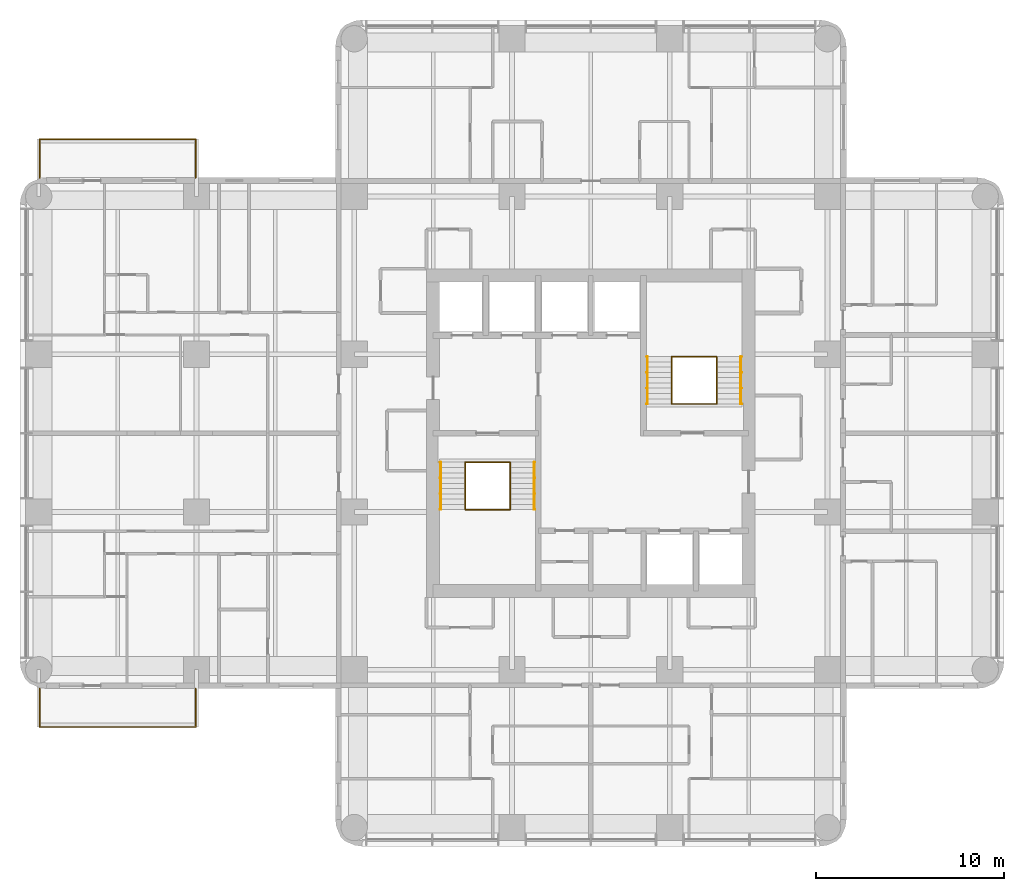
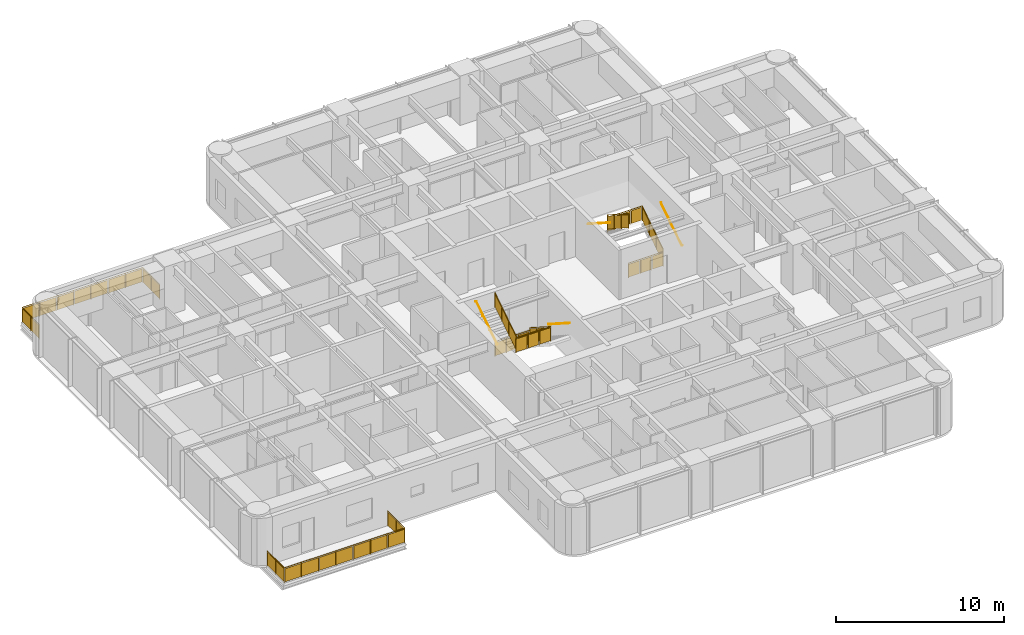
# One storey, part 12 of 12: 14 railings.
"""IFC4 building model written with IfcOpenShell, lengths in metres."""

from ifc_helpers import new_model, si_unit, direction, frame, origin, origin_2d, place, context, subcontext, project, spatial, polyline, circle, outline, extrude, material, constituent, constituent_set, type_object, element, save


model = new_model("IFC4")

# Units and contexts
model_context = context("Model", 3, precision=1e-05, world=origin(), true_north=direction((0.0, 1.0)))
body_context = subcontext(model_context, "Body", "Model", "MODEL_VIEW")
ifc_project = project(units=[si_unit("LENGTHUNIT", "METRE"), si_unit("AREAUNIT", "SQUARE_METRE"), si_unit("VOLUMEUNIT", "CUBIC_METRE"), si_unit("PLANEANGLEUNIT", "RADIAN"), si_unit("MASSUNIT", "GRAM", prefix="KILO")], contexts=[model_context])

# Site, building, storey
site_placement = place(None, origin())
site = spatial("IfcSite", under=ifc_project, at=site_placement, CompositionType="ELEMENT")
building_placement = place(site_placement, origin())
building = spatial("IfcBuilding", under=site, at=building_placement, Name="Torre Alcanfor", CompositionType="ELEMENT")
storey_placement = place(building_placement, frame((0.0, 0.0, 226.5)))
storey = spatial("IfcBuildingStorey", under=building, at=storey_placement, Name="L59", CompositionType="ELEMENT", Elevation=226.5)

# Railings
ifc_material_1 = material(Name="Laminated safety glass", Category="glass")
ifc_constituent_1 = constituent(ifc_material_1, Name="Infill")
ifc_material_2 = material(Name="Stainless steel ASTM A554 Grade MT 316L tube", Category="steel")
ifc_constituent_2 = constituent(ifc_material_2, Name="Posts and rail")
ifc_constituent_set = constituent_set(constituents=[ifc_constituent_1, ifc_constituent_2], Name="Balcony guard glass 1100")
railing_type_1 = type_object("IfcRailingType", Name="Balcony guard glass 1100", PredefinedType="BALUSTRADE", material=ifc_constituent_set)
railing_1_placement = place(storey_placement, frame((8.35009765625, 15.800048828125, 0.0)))
element("IfcRailing", 1, at=railing_1_placement, inside=storey, type_object=railing_type_1, Name="Balcony guard L59-W1", PredefinedType="BALUSTRADE", context=body_context, shape_type="SweptSolid", body=[
    extrude(circle(Radius=0.02392578125, at=origin_2d()), frame((0.0, 0.0, 1.076171875), z_axis=(0.0, -1.0, 0.0), x_axis=(1.0, 0.0, 0.0)), (0.0, 0.0, 1.0), 2.050048828125),
    extrude(circle(Radius=0.02392578125, at=origin_2d()), frame((0.0, -2.050048828125, 1.076171875), z_axis=(-1.0, 0.0, 0.0), x_axis=(0.0, -1.0, 0.0)), (0.0, 0.0, 1.0), 8.300048828125),
    extrude(circle(Radius=0.02392578125, at=origin_2d()), frame((-8.300048828125, -2.050048828125, 1.076171875), z_axis=(0.0, 1.0, 0.0), x_axis=(-1.0, 0.0, 0.0)), (0.0, 0.0, 1.0), 2.050048828125),
    extrude(circle(Radius=0.02099609375, at=origin_2d()), origin(), (0.0, 0.0, 1.0), 1.052001953125),
    extrude(circle(Radius=0.02099609375, at=origin_2d()), frame((0.0, -1.02490234375, 0.0)), (0.0, 0.0, 1.0), 1.052001953125),
    extrude(circle(Radius=0.02099609375, at=origin_2d()), frame((0.0, -2.050048828125, 0.0)), (0.0, 0.0, 1.0), 1.052001953125),
    extrude(circle(Radius=0.02099609375, at=origin_2d()), frame((-1.185791015625, -2.050048828125, 0.0)), (0.0, 0.0, 1.0), 1.052001953125),
    extrude(circle(Radius=0.02099609375, at=origin_2d()), frame((-2.371337890625, -2.050048828125, 0.0)), (0.0, 0.0, 1.0), 1.052001953125),
    extrude(circle(Radius=0.02099609375, at=origin_2d()), frame((-3.55712890625, -2.050048828125, 0.0)), (0.0, 0.0, 1.0), 1.052001953125),
    extrude(circle(Radius=0.02099609375, at=origin_2d()), frame((-4.742919921875, -2.050048828125, 0.0)), (0.0, 0.0, 1.0), 1.052001953125),
    extrude(circle(Radius=0.02099609375, at=origin_2d()), frame((-5.9287109375, -2.050048828125, 0.0)), (0.0, 0.0, 1.0), 1.052001953125),
    extrude(circle(Radius=0.02099609375, at=origin_2d()), frame((-7.1142578125, -2.050048828125, 0.0)), (0.0, 0.0, 1.0), 1.052001953125),
    extrude(circle(Radius=0.02099609375, at=origin_2d()), frame((-8.300048828125, -2.050048828125, 0.0)), (0.0, 0.0, 1.0), 1.052001953125),
    extrude(circle(Radius=0.02099609375, at=origin_2d()), frame((-8.300048828125, -1.02490234375, 0.0)), (0.0, 0.0, 1.0), 1.052001953125),
    extrude(circle(Radius=0.02099609375, at=origin_2d()), frame((-8.300048828125, 0.0, 0.0)), (0.0, 0.0, 1.0), 1.052001953125),
    extrude(outline(polyline([(0.041015625, 0.050048828125), (0.984130859375, 0.050048828125), (0.984130859375, 1.001953125), (0.041015625, 1.001953125), (0.041015625, 0.050048828125)])), frame((0.005859375, 0.0, 0.0), z_axis=(-1.0, 0.0, 0.0), x_axis=(0.0, -1.0, 0.0)), (0.0, 0.0, 1.0), 0.011962890625),
    extrude(outline(polyline([(1.06591796875, 0.050048828125), (2.009033203125, 0.050048828125), (2.009033203125, 1.001953125), (1.06591796875, 1.001953125), (1.06591796875, 0.050048828125)])), frame((0.005859375, 0.0, 0.0), z_axis=(-1.0, 0.0, 0.0), x_axis=(0.0, -1.0, 0.0)), (0.0, 0.0, 1.0), 0.011962890625),
    extrude(outline(polyline([(0.041015625, 0.050048828125), (1.144775390625, 0.050048828125), (1.144775390625, 1.001953125), (0.041015625, 1.001953125), (0.041015625, 0.050048828125)])), frame((0.0, -2.05615234375, 0.0), z_axis=(0.0, 1.0, 0.0), x_axis=(-1.0, 0.0, 0.0)), (0.0, 0.0, 1.0), 0.011962890625),
    extrude(outline(polyline([(1.226806640625, 0.050048828125), (2.330322265625, 0.050048828125), (2.330322265625, 1.001953125), (1.226806640625, 1.001953125), (1.226806640625, 0.050048828125)])), frame((0.0, -2.05615234375, 0.0), z_axis=(0.0, 1.0, 0.0), x_axis=(-1.0, 0.0, 0.0)), (0.0, 0.0, 1.0), 0.011962890625),
    extrude(outline(polyline([(2.412353515625, 0.050048828125), (3.51611328125, 0.050048828125), (3.51611328125, 1.001953125), (2.412353515625, 1.001953125), (2.412353515625, 0.050048828125)])), frame((0.0, -2.05615234375, 0.0), z_axis=(0.0, 1.0, 0.0), x_axis=(-1.0, 0.0, 0.0)), (0.0, 0.0, 1.0), 0.011962890625),
    extrude(outline(polyline([(3.59814453125, 0.050048828125), (4.701904296875, 0.050048828125), (4.701904296875, 1.001953125), (3.59814453125, 1.001953125), (3.59814453125, 0.050048828125)])), frame((0.0, -2.05615234375, 0.0), z_axis=(0.0, 1.0, 0.0), x_axis=(-1.0, 0.0, 0.0)), (0.0, 0.0, 1.0), 0.011962890625),
    extrude(outline(polyline([(4.783935546875, 0.050048828125), (5.8876953125, 0.050048828125), (5.8876953125, 1.001953125), (4.783935546875, 1.001953125), (4.783935546875, 0.050048828125)])), frame((0.0, -2.05615234375, 0.0), z_axis=(0.0, 1.0, 0.0), x_axis=(-1.0, 0.0, 0.0)), (0.0, 0.0, 1.0), 0.011962890625),
    extrude(outline(polyline([(5.9697265625, 0.050048828125), (7.0732421875, 0.050048828125), (7.0732421875, 1.001953125), (5.9697265625, 1.001953125), (5.9697265625, 0.050048828125)])), frame((0.0, -2.05615234375, 0.0), z_axis=(0.0, 1.0, 0.0), x_axis=(-1.0, 0.0, 0.0)), (0.0, 0.0, 1.0), 0.011962890625),
    extrude(outline(polyline([(7.1552734375, 0.050048828125), (8.259033203125, 0.050048828125), (8.259033203125, 1.001953125), (7.1552734375, 1.001953125), (7.1552734375, 0.050048828125)])), frame((0.0, -2.05615234375, 0.0), z_axis=(0.0, 1.0, 0.0), x_axis=(-1.0, 0.0, 0.0)), (0.0, 0.0, 1.0), 0.011962890625),
    extrude(outline(polyline([(0.041015625, 0.050048828125), (0.984130859375, 0.050048828125), (0.984130859375, 1.001953125), (0.041015625, 1.001953125), (0.041015625, 0.050048828125)])), frame((-8.30615234375, -2.050048828125, 0.0), z_axis=(1.0, 0.0, 0.0), x_axis=(0.0, 1.0, 0.0)), (0.0, 0.0, 1.0), 0.011962890625),
    extrude(outline(polyline([(1.06591796875, 0.050048828125), (2.009033203125, 0.050048828125), (2.009033203125, 1.001953125), (1.06591796875, 1.001953125), (1.06591796875, 0.050048828125)])), frame((-8.30615234375, -2.050048828125, 0.0), z_axis=(1.0, 0.0, 0.0), x_axis=(0.0, 1.0, 0.0)), (0.0, 0.0, 1.0), 0.011962890625),
])
railing_2_placement = place(storey_placement, frame((8.35009765625, 43.0, 0.0)))
element("IfcRailing", 2, at=railing_2_placement, inside=storey, type_object=railing_type_1, Name="Balcony guard L59-W2", PredefinedType="BALUSTRADE", context=body_context, shape_type="SweptSolid", body=[
    extrude(circle(Radius=0.02392578125, at=origin_2d()), frame((0.0, 0.0, 1.076171875), z_axis=(0.0, 1.0, 0.0), x_axis=(-1.0, 0.0, 0.0)), (0.0, 0.0, 1.0), 2.050048828125),
    extrude(circle(Radius=0.02392578125, at=origin_2d()), frame((0.0, 2.050048828125, 1.076171875), z_axis=(-1.0, 0.0, 0.0), x_axis=(0.0, -1.0, 0.0)), (0.0, 0.0, 1.0), 8.300048828125),
    extrude(circle(Radius=0.02392578125, at=origin_2d()), frame((-8.300048828125, 2.050048828125, 1.076171875), z_axis=(0.0, -1.0, 0.0), x_axis=(1.0, 0.0, 0.0)), (0.0, 0.0, 1.0), 2.050048828125),
    extrude(circle(Radius=0.02099609375, at=origin_2d()), origin(), (0.0, 0.0, 1.0), 1.052001953125),
    extrude(circle(Radius=0.02099609375, at=origin_2d()), frame((0.0, 1.02490234375, 0.0)), (0.0, 0.0, 1.0), 1.052001953125),
    extrude(circle(Radius=0.02099609375, at=origin_2d()), frame((0.0, 2.050048828125, 0.0)), (0.0, 0.0, 1.0), 1.052001953125),
    extrude(circle(Radius=0.02099609375, at=origin_2d()), frame((-1.185791015625, 2.050048828125, 0.0)), (0.0, 0.0, 1.0), 1.052001953125),
    extrude(circle(Radius=0.02099609375, at=origin_2d()), frame((-2.371337890625, 2.050048828125, 0.0)), (0.0, 0.0, 1.0), 1.052001953125),
    extrude(circle(Radius=0.02099609375, at=origin_2d()), frame((-3.55712890625, 2.050048828125, 0.0)), (0.0, 0.0, 1.0), 1.052001953125),
    extrude(circle(Radius=0.02099609375, at=origin_2d()), frame((-4.742919921875, 2.050048828125, 0.0)), (0.0, 0.0, 1.0), 1.052001953125),
    extrude(circle(Radius=0.02099609375, at=origin_2d()), frame((-5.9287109375, 2.050048828125, 0.0)), (0.0, 0.0, 1.0), 1.052001953125),
    extrude(circle(Radius=0.02099609375, at=origin_2d()), frame((-7.1142578125, 2.050048828125, 0.0)), (0.0, 0.0, 1.0), 1.052001953125),
    extrude(circle(Radius=0.02099609375, at=origin_2d()), frame((-8.300048828125, 2.050048828125, 0.0)), (0.0, 0.0, 1.0), 1.052001953125),
    extrude(circle(Radius=0.02099609375, at=origin_2d()), frame((-8.300048828125, 1.02490234375, 0.0)), (0.0, 0.0, 1.0), 1.052001953125),
    extrude(circle(Radius=0.02099609375, at=origin_2d()), frame((-8.300048828125, 0.0, 0.0)), (0.0, 0.0, 1.0), 1.052001953125),
    extrude(outline(polyline([(0.041015625, 0.050048828125), (0.984130859375, 0.050048828125), (0.984130859375, 1.001953125), (0.041015625, 1.001953125), (0.041015625, 0.050048828125)])), frame((-0.005859375, 0.0, 0.0), z_axis=(1.0, 0.0, 0.0), x_axis=(0.0, 1.0, 0.0)), (0.0, 0.0, 1.0), 0.011962890625),
    extrude(outline(polyline([(1.06591796875, 0.050048828125), (2.009033203125, 0.050048828125), (2.009033203125, 1.001953125), (1.06591796875, 1.001953125), (1.06591796875, 0.050048828125)])), frame((-0.005859375, 0.0, 0.0), z_axis=(1.0, 0.0, 0.0), x_axis=(0.0, 1.0, 0.0)), (0.0, 0.0, 1.0), 0.011962890625),
    extrude(outline(polyline([(0.041015625, 0.050048828125), (1.144775390625, 0.050048828125), (1.144775390625, 1.001953125), (0.041015625, 1.001953125), (0.041015625, 0.050048828125)])), frame((0.0, 2.0439453125, 0.0), z_axis=(0.0, 1.0, 0.0), x_axis=(-1.0, 0.0, 0.0)), (0.0, 0.0, 1.0), 0.011962890625),
    extrude(outline(polyline([(1.226806640625, 0.050048828125), (2.330322265625, 0.050048828125), (2.330322265625, 1.001953125), (1.226806640625, 1.001953125), (1.226806640625, 0.050048828125)])), frame((0.0, 2.0439453125, 0.0), z_axis=(0.0, 1.0, 0.0), x_axis=(-1.0, 0.0, 0.0)), (0.0, 0.0, 1.0), 0.011962890625),
    extrude(outline(polyline([(2.412353515625, 0.050048828125), (3.51611328125, 0.050048828125), (3.51611328125, 1.001953125), (2.412353515625, 1.001953125), (2.412353515625, 0.050048828125)])), frame((0.0, 2.0439453125, 0.0), z_axis=(0.0, 1.0, 0.0), x_axis=(-1.0, 0.0, 0.0)), (0.0, 0.0, 1.0), 0.011962890625),
    extrude(outline(polyline([(3.59814453125, 0.050048828125), (4.701904296875, 0.050048828125), (4.701904296875, 1.001953125), (3.59814453125, 1.001953125), (3.59814453125, 0.050048828125)])), frame((0.0, 2.0439453125, 0.0), z_axis=(0.0, 1.0, 0.0), x_axis=(-1.0, 0.0, 0.0)), (0.0, 0.0, 1.0), 0.011962890625),
    extrude(outline(polyline([(4.783935546875, 0.050048828125), (5.8876953125, 0.050048828125), (5.8876953125, 1.001953125), (4.783935546875, 1.001953125), (4.783935546875, 0.050048828125)])), frame((0.0, 2.0439453125, 0.0), z_axis=(0.0, 1.0, 0.0), x_axis=(-1.0, 0.0, 0.0)), (0.0, 0.0, 1.0), 0.011962890625),
    extrude(outline(polyline([(5.9697265625, 0.050048828125), (7.0732421875, 0.050048828125), (7.0732421875, 1.001953125), (5.9697265625, 1.001953125), (5.9697265625, 0.050048828125)])), frame((0.0, 2.0439453125, 0.0), z_axis=(0.0, 1.0, 0.0), x_axis=(-1.0, 0.0, 0.0)), (0.0, 0.0, 1.0), 0.011962890625),
    extrude(outline(polyline([(7.1552734375, 0.050048828125), (8.259033203125, 0.050048828125), (8.259033203125, 1.001953125), (7.1552734375, 1.001953125), (7.1552734375, 0.050048828125)])), frame((0.0, 2.0439453125, 0.0), z_axis=(0.0, 1.0, 0.0), x_axis=(-1.0, 0.0, 0.0)), (0.0, 0.0, 1.0), 0.011962890625),
    extrude(outline(polyline([(0.041015625, 0.050048828125), (0.984130859375, 0.050048828125), (0.984130859375, 1.001953125), (0.041015625, 1.001953125), (0.041015625, 0.050048828125)])), frame((-8.2939453125, 2.050048828125, 0.0), z_axis=(-1.0, 0.0, 0.0), x_axis=(0.0, -1.0, 0.0)), (0.0, 0.0, 1.0), 0.011962890625),
    extrude(outline(polyline([(1.06591796875, 0.050048828125), (2.009033203125, 0.050048828125), (2.009033203125, 1.001953125), (1.06591796875, 1.001953125), (1.06591796875, 0.050048828125)])), frame((-8.2939453125, 2.050048828125, 0.0), z_axis=(-1.0, 0.0, 0.0), x_axis=(0.0, -1.0, 0.0)), (0.0, 0.0, 1.0), 0.011962890625),
])
ifc_material_3 = material(Name="Steel ASTM A500 Grade C hollow sections", Category="steel")
railing_type_2 = type_object("IfcRailingType", Name="Stair guard and handrail 1100", PredefinedType="GUARDRAIL", material=ifc_material_3)
railing_3_placement = place(storey_placement, frame((25.10009765625, 27.85009765625, 0.179931640625)))
element("IfcRailing", 3, at=railing_3_placement, inside=storey, type_object=railing_type_2, Name="Stair guard S1 L59 flight 1", PredefinedType="GUARDRAIL", context=body_context, shape_type="SweptSolid", body=[
    extrude(circle(Radius=0.02392578125, at=origin_2d()), frame((0.0, 0.0, 1.076171875), z_axis=(0.0, -0.841162588446, 0.540782303519), x_axis=(1.0, 0.0, 0.0)), (0.0, 0.0, 1.0), 2.995849609375),
    extrude(circle(Radius=0.02099609375, at=origin_2d()), origin(), (0.0, 0.0, 1.0), 1.052001953125),
    extrude(circle(Radius=0.02099609375, at=origin_2d()), frame((0.0, -0.840087890625, 0.5400390625)), (0.0, 0.0, 1.0), 1.052001953125),
    extrude(circle(Radius=0.02099609375, at=origin_2d()), frame((0.0, -1.679931640625, 1.080078125)), (0.0, 0.0, 1.0), 1.052001953125),
    extrude(circle(Radius=0.02099609375, at=origin_2d()), frame((0.0, -2.52001953125, 1.6201171875)), (0.0, 0.0, 1.0), 1.052001953125),
    extrude(outline(polyline([(0.041015625, 0.076416015625), (0.799072265625, 0.563720703125), (0.799072265625, 1.515625), (0.041015625, 1.0283203125), (0.041015625, 0.076416015625)])), frame((0.005859375, 0.0, 0.0), z_axis=(-1.0, 0.0, 0.0), x_axis=(0.0, -1.0, 0.0)), (0.0, 0.0, 1.0), 0.011962890625),
    extrude(outline(polyline([(0.881103515625, 0.616455078125), (1.638916015625, 1.103759765625), (1.638916015625, 2.0556640625), (0.881103515625, 1.568359375), (0.881103515625, 0.616455078125)])), frame((0.005859375, 0.0, 0.0), z_axis=(-1.0, 0.0, 0.0), x_axis=(0.0, -1.0, 0.0)), (0.0, 0.0, 1.0), 0.011962890625),
    extrude(outline(polyline([(1.720947265625, 1.156494140625), (2.47900390625, 1.643798828125), (2.47900390625, 2.595703125), (1.720947265625, 2.1083984375), (1.720947265625, 1.156494140625)])), frame((0.005859375, 0.0, 0.0), z_axis=(-1.0, 0.0, 0.0), x_axis=(0.0, -1.0, 0.0)), (0.0, 0.0, 1.0), 0.011962890625),
])
railing_4_placement = place(storey_placement, frame((22.699951171875, 25.330078125, 1.97998046875)))
element("IfcRailing", 4, at=railing_4_placement, inside=storey, type_object=railing_type_2, Name="Stair guard S1 L59 flight 2", PredefinedType="GUARDRAIL", context=body_context, shape_type="SweptSolid", body=[
    extrude(circle(Radius=0.02392578125, at=origin_2d()), frame((0.0, 0.0, 1.076171875), z_axis=(0.0, 0.841162588446, 0.540782303519), x_axis=(-1.0, 0.0, 0.0)), (0.0, 0.0, 1.0), 2.995849609375),
    extrude(circle(Radius=0.02099609375, at=origin_2d()), origin(), (0.0, 0.0, 1.0), 1.052001953125),
    extrude(circle(Radius=0.02099609375, at=origin_2d()), frame((0.0, 0.840087890625, 0.5400390625)), (0.0, 0.0, 1.0), 1.052001953125),
    extrude(circle(Radius=0.02099609375, at=origin_2d()), frame((0.0, 1.679931640625, 1.080078125)), (0.0, 0.0, 1.0), 1.052001953125),
    extrude(circle(Radius=0.02099609375, at=origin_2d()), frame((0.0, 2.52001953125, 1.6201171875)), (0.0, 0.0, 1.0), 1.052001953125),
    extrude(outline(polyline([(0.041015625, 0.076416015625), (0.799072265625, 0.563720703125), (0.799072265625, 1.515625), (0.041015625, 1.0283203125), (0.041015625, 0.076416015625)])), frame((-0.005859375, 0.0, 0.0), z_axis=(1.0, 0.0, 0.0), x_axis=(0.0, 1.0, 0.0)), (0.0, 0.0, 1.0), 0.011962890625),
    extrude(outline(polyline([(0.881103515625, 0.616455078125), (1.638916015625, 1.103759765625), (1.638916015625, 2.0556640625), (0.881103515625, 1.568359375), (0.881103515625, 0.616455078125)])), frame((-0.005859375, 0.0, 0.0), z_axis=(1.0, 0.0, 0.0), x_axis=(0.0, 1.0, 0.0)), (0.0, 0.0, 1.0), 0.011962890625),
    extrude(outline(polyline([(1.720947265625, 1.156494140625), (2.47900390625, 1.643798828125), (2.47900390625, 2.595703125), (1.720947265625, 2.1083984375), (1.720947265625, 1.156494140625)])), frame((-0.005859375, 0.0, 0.0), z_axis=(1.0, 0.0, 0.0), x_axis=(0.0, 1.0, 0.0)), (0.0, 0.0, 1.0), 0.011962890625),
])
for number, where, name in (
    (5, (22.699951171875, 27.85009765625, 0.0), "Stair well guard S1 L59 floor landing"),
    (6, (22.699951171875, 25.330078125, 1.800048828125), "Stair well guard S1 L59 half landing"),
):
    element("IfcRailing", number, at=place(storey_placement, frame(where)), inside=storey, type_object=railing_type_2, Name=name, PredefinedType="GUARDRAIL", context=body_context, shape_type="SweptSolid", body=[
        extrude(circle(Radius=0.02392578125, at=origin_2d()), frame((0.0, 0.0, 1.076171875), z_axis=(1.0, 0.0, 0.0), x_axis=(0.0, 1.0, 0.0)), (0.0, 0.0, 1.0), 2.400146484375),
        extrude(circle(Radius=0.02099609375, at=origin_2d()), origin(), (0.0, 0.0, 1.0), 1.052001953125),
        extrude(circle(Radius=0.02099609375, at=origin_2d()), frame((0.800048828125, 0.0, 0.0)), (0.0, 0.0, 1.0), 1.052001953125),
        extrude(circle(Radius=0.02099609375, at=origin_2d()), frame((1.60009765625, 0.0, 0.0)), (0.0, 0.0, 1.0), 1.052001953125),
        extrude(circle(Radius=0.02099609375, at=origin_2d()), frame((2.400146484375, 0.0, 0.0)), (0.0, 0.0, 1.0), 1.052001953125),
        extrude(outline(polyline([(0.041015625, 0.050048828125), (0.759033203125, 0.050048828125), (0.759033203125, 1.001953125), (0.041015625, 1.001953125), (0.041015625, 0.050048828125)])), frame((0.0, 0.005859375, 0.0), z_axis=(0.0, -1.0, 0.0), x_axis=(1.0, 0.0, 0.0)), (0.0, 0.0, 1.0), 0.011962890625),
        extrude(outline(polyline([(0.841064453125, 0.050048828125), (1.55908203125, 0.050048828125), (1.55908203125, 1.001953125), (0.841064453125, 1.001953125), (0.841064453125, 0.050048828125)])), frame((0.0, 0.005859375, 0.0), z_axis=(0.0, -1.0, 0.0), x_axis=(1.0, 0.0, 0.0)), (0.0, 0.0, 1.0), 0.011962890625),
        extrude(outline(polyline([(1.64111328125, 0.050048828125), (2.359130859375, 0.050048828125), (2.359130859375, 1.001953125), (1.64111328125, 1.001953125), (1.64111328125, 0.050048828125)])), frame((0.0, 0.005859375, 0.0), z_axis=(0.0, -1.0, 0.0), x_axis=(1.0, 0.0, 0.0)), (0.0, 0.0, 1.0), 0.011962890625),
    ])
railing_5_placement = place(storey_placement, frame((36.10009765625, 30.949951171875, 0.179931640625)))
element("IfcRailing", 7, at=railing_5_placement, inside=storey, type_object=railing_type_2, Name="Stair guard S2 L59 flight 1", PredefinedType="GUARDRAIL", context=body_context, shape_type="SweptSolid", body=[
    extrude(circle(Radius=0.02392578125, at=origin_2d()), frame((0.0, 0.0, 1.076171875), z_axis=(0.0, 0.841162588446, 0.540782303519), x_axis=(-1.0, 0.0, 0.0)), (0.0, 0.0, 1.0), 2.995849609375),
    extrude(circle(Radius=0.02099609375, at=origin_2d()), origin(), (0.0, 0.0, 1.0), 1.052001953125),
    extrude(circle(Radius=0.02099609375, at=origin_2d()), frame((0.0, 0.840087890625, 0.5400390625)), (0.0, 0.0, 1.0), 1.052001953125),
    extrude(circle(Radius=0.02099609375, at=origin_2d()), frame((0.0, 1.679931640625, 1.080078125)), (0.0, 0.0, 1.0), 1.052001953125),
    extrude(circle(Radius=0.02099609375, at=origin_2d()), frame((0.0, 2.52001953125, 1.6201171875)), (0.0, 0.0, 1.0), 1.052001953125),
    extrude(outline(polyline([(0.041015625, 0.076416015625), (0.799072265625, 0.563720703125), (0.799072265625, 1.515625), (0.041015625, 1.0283203125), (0.041015625, 0.076416015625)])), frame((-0.005859375, 0.0, 0.0), z_axis=(1.0, 0.0, 0.0), x_axis=(0.0, 1.0, 0.0)), (0.0, 0.0, 1.0), 0.011962890625),
    extrude(outline(polyline([(0.881103515625, 0.616455078125), (1.638916015625, 1.103759765625), (1.638916015625, 2.0556640625), (0.881103515625, 1.568359375), (0.881103515625, 0.616455078125)])), frame((-0.005859375, 0.0, 0.0), z_axis=(1.0, 0.0, 0.0), x_axis=(0.0, 1.0, 0.0)), (0.0, 0.0, 1.0), 0.011962890625),
    extrude(outline(polyline([(1.720947265625, 1.156494140625), (2.47900390625, 1.643798828125), (2.47900390625, 2.595703125), (1.720947265625, 2.1083984375), (1.720947265625, 1.156494140625)])), frame((-0.005859375, 0.0, 0.0), z_axis=(1.0, 0.0, 0.0), x_axis=(0.0, 1.0, 0.0)), (0.0, 0.0, 1.0), 0.011962890625),
])
railing_6_placement = place(storey_placement, frame((33.699951171875, 33.469970703125, 1.97998046875)))
element("IfcRailing", 8, at=railing_6_placement, inside=storey, type_object=railing_type_2, Name="Stair guard S2 L59 flight 2", PredefinedType="GUARDRAIL", context=body_context, shape_type="SweptSolid", body=[
    extrude(circle(Radius=0.02392578125, at=origin_2d()), frame((0.0, 0.0, 1.076171875), z_axis=(0.0, -0.841162588446, 0.540782303519), x_axis=(1.0, 0.0, 0.0)), (0.0, 0.0, 1.0), 2.995849609375),
    extrude(circle(Radius=0.02099609375, at=origin_2d()), origin(), (0.0, 0.0, 1.0), 1.052001953125),
    extrude(circle(Radius=0.02099609375, at=origin_2d()), frame((0.0, -0.840087890625, 0.5400390625)), (0.0, 0.0, 1.0), 1.052001953125),
    extrude(circle(Radius=0.02099609375, at=origin_2d()), frame((0.0, -1.679931640625, 1.080078125)), (0.0, 0.0, 1.0), 1.052001953125),
    extrude(circle(Radius=0.02099609375, at=origin_2d()), frame((0.0, -2.52001953125, 1.6201171875)), (0.0, 0.0, 1.0), 1.052001953125),
    extrude(outline(polyline([(0.041015625, 0.076416015625), (0.799072265625, 0.563720703125), (0.799072265625, 1.515625), (0.041015625, 1.0283203125), (0.041015625, 0.076416015625)])), frame((0.005859375, 0.0, 0.0), z_axis=(-1.0, 0.0, 0.0), x_axis=(0.0, -1.0, 0.0)), (0.0, 0.0, 1.0), 0.011962890625),
    extrude(outline(polyline([(0.881103515625, 0.616455078125), (1.638916015625, 1.103759765625), (1.638916015625, 2.0556640625), (0.881103515625, 1.568359375), (0.881103515625, 0.616455078125)])), frame((0.005859375, 0.0, 0.0), z_axis=(-1.0, 0.0, 0.0), x_axis=(0.0, -1.0, 0.0)), (0.0, 0.0, 1.0), 0.011962890625),
    extrude(outline(polyline([(1.720947265625, 1.156494140625), (2.47900390625, 1.643798828125), (2.47900390625, 2.595703125), (1.720947265625, 2.1083984375), (1.720947265625, 1.156494140625)])), frame((0.005859375, 0.0, 0.0), z_axis=(-1.0, 0.0, 0.0), x_axis=(0.0, -1.0, 0.0)), (0.0, 0.0, 1.0), 0.011962890625),
])
for number, where, name in (
    (9, (33.699951171875, 30.949951171875, 0.0), "Stair well guard S2 L59 floor landing"),
    (10, (33.699951171875, 33.469970703125, 1.800048828125), "Stair well guard S2 L59 half landing"),
):
    element("IfcRailing", number, at=place(storey_placement, frame(where)), inside=storey, type_object=railing_type_2, Name=name, PredefinedType="GUARDRAIL", context=body_context, shape_type="SweptSolid", body=[
        extrude(circle(Radius=0.02392578125, at=origin_2d()), frame((0.0, 0.0, 1.076171875), z_axis=(1.0, 0.0, 0.0), x_axis=(0.0, 1.0, 0.0)), (0.0, 0.0, 1.0), 2.400146484375),
        extrude(circle(Radius=0.02099609375, at=origin_2d()), origin(), (0.0, 0.0, 1.0), 1.052001953125),
        extrude(circle(Radius=0.02099609375, at=origin_2d()), frame((0.800048828125, 0.0, 0.0)), (0.0, 0.0, 1.0), 1.052001953125),
        extrude(circle(Radius=0.02099609375, at=origin_2d()), frame((1.60009765625, 0.0, 0.0)), (0.0, 0.0, 1.0), 1.052001953125),
        extrude(circle(Radius=0.02099609375, at=origin_2d()), frame((2.400146484375, 0.0, 0.0)), (0.0, 0.0, 1.0), 1.052001953125),
        extrude(outline(polyline([(0.041015625, 0.050048828125), (0.759033203125, 0.050048828125), (0.759033203125, 1.001953125), (0.041015625, 1.001953125), (0.041015625, 0.050048828125)])), frame((0.0, 0.005859375, 0.0), z_axis=(0.0, -1.0, 0.0), x_axis=(1.0, 0.0, 0.0)), (0.0, 0.0, 1.0), 0.011962890625),
        extrude(outline(polyline([(0.841064453125, 0.050048828125), (1.55908203125, 0.050048828125), (1.55908203125, 1.001953125), (0.841064453125, 1.001953125), (0.841064453125, 0.050048828125)])), frame((0.0, 0.005859375, 0.0), z_axis=(0.0, -1.0, 0.0), x_axis=(1.0, 0.0, 0.0)), (0.0, 0.0, 1.0), 0.011962890625),
        extrude(outline(polyline([(1.64111328125, 0.050048828125), (2.359130859375, 0.050048828125), (2.359130859375, 1.001953125), (1.64111328125, 1.001953125), (1.64111328125, 0.050048828125)])), frame((0.0, 0.005859375, 0.0), z_axis=(0.0, -1.0, 0.0), x_axis=(1.0, 0.0, 0.0)), (0.0, 0.0, 1.0), 0.011962890625),
    ])
ifc_material_4 = material(Name="Steel ASTM A500 Grade C hollow sections", Category="steel")
railing_type_3 = type_object("IfcRailingType", Name="Stair wall handrail 900", PredefinedType="HANDRAIL", material=ifc_material_4)
railing_7_placement = place(storey_placement, frame((26.385009765625, 27.85009765625, 0.179931640625)))
element("IfcRailing", 11, at=railing_7_placement, inside=storey, type_object=railing_type_3, Name="Stair handrail S1 L59 flight 1", PredefinedType="HANDRAIL", context=body_context, shape_type="SweptSolid", body=[
    extrude(circle(Radius=0.02392578125, at=origin_2d()), frame((0.0, 0.0, 0.8759765625), z_axis=(0.0, -0.841162588446, 0.540782303519), x_axis=(1.0, 0.0, 0.0)), (0.0, 0.0, 1.0), 2.995849609375),
    extrude(circle(Radius=0.008056640625, at=origin_2d()), frame((0.0, 0.0, 0.8759765625), z_axis=(1.0, 0.0, 0.0), x_axis=(0.0, 0.0, 1.0)), (0.0, 0.0, 1.0), 0.06494140625),
    extrude(circle(Radius=0.008056640625, at=origin_2d()), frame((0.0, -0.840087890625, 1.416015625), z_axis=(1.0, 0.0, 0.0), x_axis=(0.0, 0.0, 1.0)), (0.0, 0.0, 1.0), 0.06494140625),
    extrude(circle(Radius=0.008056640625, at=origin_2d()), frame((0.0, -1.679931640625, 1.9560546875), z_axis=(1.0, 0.0, 0.0), x_axis=(0.0, 0.0, 1.0)), (0.0, 0.0, 1.0), 0.06494140625),
    extrude(circle(Radius=0.008056640625, at=origin_2d()), frame((0.0, -2.52001953125, 2.49609375), z_axis=(1.0, 0.0, 0.0), x_axis=(0.0, 0.0, 1.0)), (0.0, 0.0, 1.0), 0.06494140625),
])
railing_8_placement = place(storey_placement, frame((21.4150390625, 25.330078125, 1.97998046875)))
element("IfcRailing", 12, at=railing_8_placement, inside=storey, type_object=railing_type_3, Name="Stair handrail S1 L59 flight 2", PredefinedType="HANDRAIL", context=body_context, shape_type="SweptSolid", body=[
    extrude(circle(Radius=0.02392578125, at=origin_2d()), frame((0.0, 0.0, 0.8759765625), z_axis=(0.0, 0.841162588446, 0.540782303519), x_axis=(-1.0, 0.0, 0.0)), (0.0, 0.0, 1.0), 2.995849609375),
    extrude(circle(Radius=0.008056640625, at=origin_2d()), frame((0.0, 0.0, 0.8759765625), z_axis=(-1.0, 0.0, 0.0), x_axis=(0.0, 0.0, 1.0)), (0.0, 0.0, 1.0), 0.06494140625),
    extrude(circle(Radius=0.008056640625, at=origin_2d()), frame((0.0, 0.840087890625, 1.416015625), z_axis=(-1.0, 0.0, 0.0), x_axis=(0.0, 0.0, 1.0)), (0.0, 0.0, 1.0), 0.06494140625),
    extrude(circle(Radius=0.008056640625, at=origin_2d()), frame((0.0, 1.679931640625, 1.9560546875), z_axis=(-1.0, 0.0, 0.0), x_axis=(0.0, 0.0, 1.0)), (0.0, 0.0, 1.0), 0.06494140625),
    extrude(circle(Radius=0.008056640625, at=origin_2d()), frame((0.0, 2.52001953125, 2.49609375), z_axis=(-1.0, 0.0, 0.0), x_axis=(0.0, 0.0, 1.0)), (0.0, 0.0, 1.0), 0.06494140625),
])
railing_9_placement = place(storey_placement, frame((37.385009765625, 30.949951171875, 0.179931640625)))
element("IfcRailing", 13, at=railing_9_placement, inside=storey, type_object=railing_type_3, Name="Stair handrail S2 L59 flight 1", PredefinedType="HANDRAIL", context=body_context, shape_type="SweptSolid", body=[
    extrude(circle(Radius=0.02392578125, at=origin_2d()), frame((0.0, 0.0, 0.8759765625), z_axis=(0.0, 0.841162588446, 0.540782303519), x_axis=(-1.0, 0.0, 0.0)), (0.0, 0.0, 1.0), 2.995849609375),
    extrude(circle(Radius=0.008056640625, at=origin_2d()), frame((0.0, 0.0, 0.8759765625), z_axis=(1.0, 0.0, 0.0), x_axis=(0.0, 0.0, 1.0)), (0.0, 0.0, 1.0), 0.06494140625),
    extrude(circle(Radius=0.008056640625, at=origin_2d()), frame((0.0, 0.840087890625, 1.416015625), z_axis=(1.0, 0.0, 0.0), x_axis=(0.0, 0.0, 1.0)), (0.0, 0.0, 1.0), 0.06494140625),
    extrude(circle(Radius=0.008056640625, at=origin_2d()), frame((0.0, 1.679931640625, 1.9560546875), z_axis=(1.0, 0.0, 0.0), x_axis=(0.0, 0.0, 1.0)), (0.0, 0.0, 1.0), 0.06494140625),
    extrude(circle(Radius=0.008056640625, at=origin_2d()), frame((0.0, 2.52001953125, 2.49609375), z_axis=(1.0, 0.0, 0.0), x_axis=(0.0, 0.0, 1.0)), (0.0, 0.0, 1.0), 0.06494140625),
])
railing_10_placement = place(storey_placement, frame((32.4150390625, 33.469970703125, 1.97998046875)))
element("IfcRailing", 14, at=railing_10_placement, inside=storey, type_object=railing_type_3, Name="Stair handrail S2 L59 flight 2", PredefinedType="HANDRAIL", context=body_context, shape_type="SweptSolid", body=[
    extrude(circle(Radius=0.02392578125, at=origin_2d()), frame((0.0, 0.0, 0.8759765625), z_axis=(0.0, -0.841162588446, 0.540782303519), x_axis=(1.0, 0.0, 0.0)), (0.0, 0.0, 1.0), 2.995849609375),
    extrude(circle(Radius=0.008056640625, at=origin_2d()), frame((0.0, 0.0, 0.8759765625), z_axis=(-1.0, 0.0, 0.0), x_axis=(0.0, 0.0, 1.0)), (0.0, 0.0, 1.0), 0.06494140625),
    extrude(circle(Radius=0.008056640625, at=origin_2d()), frame((0.0, -0.840087890625, 1.416015625), z_axis=(-1.0, 0.0, 0.0), x_axis=(0.0, 0.0, 1.0)), (0.0, 0.0, 1.0), 0.06494140625),
    extrude(circle(Radius=0.008056640625, at=origin_2d()), frame((0.0, -1.679931640625, 1.9560546875), z_axis=(-1.0, 0.0, 0.0), x_axis=(0.0, 0.0, 1.0)), (0.0, 0.0, 1.0), 0.06494140625),
    extrude(circle(Radius=0.008056640625, at=origin_2d()), frame((0.0, -2.52001953125, 2.49609375), z_axis=(-1.0, 0.0, 0.0), x_axis=(0.0, 0.0, 1.0)), (0.0, 0.0, 1.0), 0.06494140625),
])

save(model, "model.ifc")
